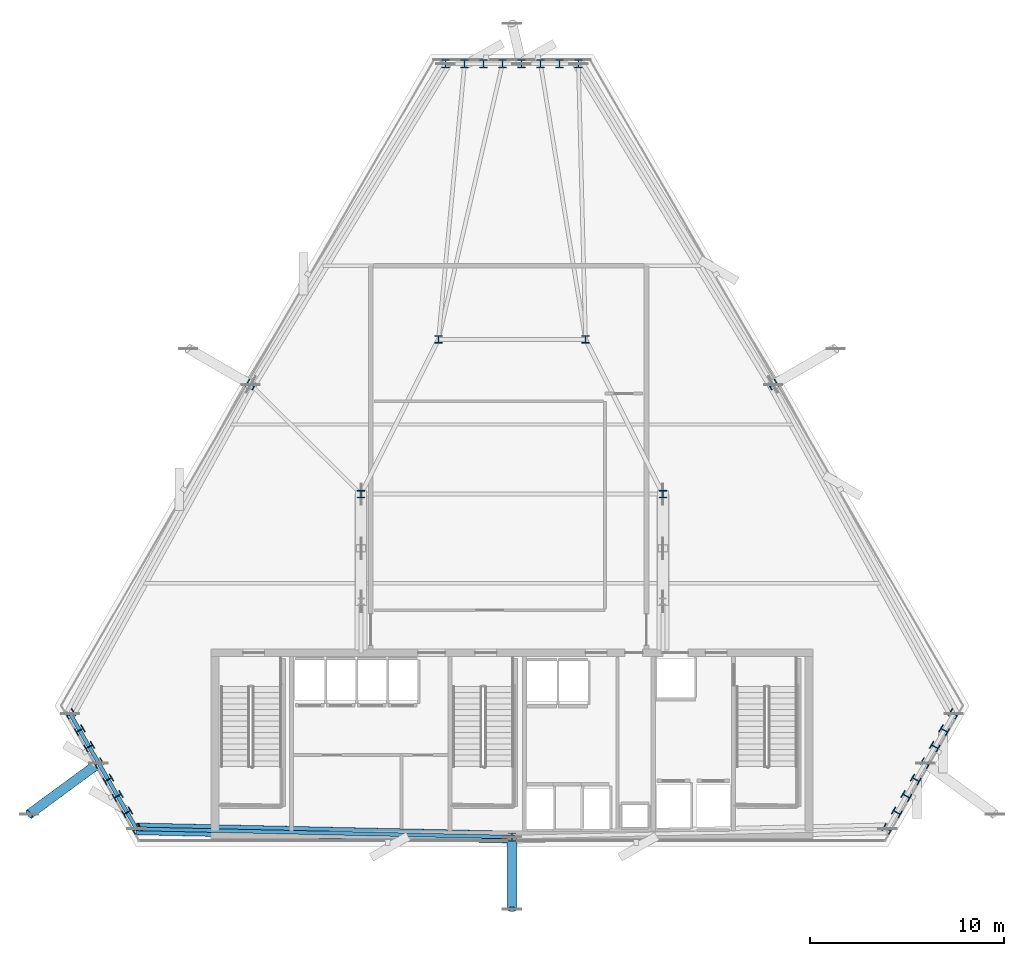
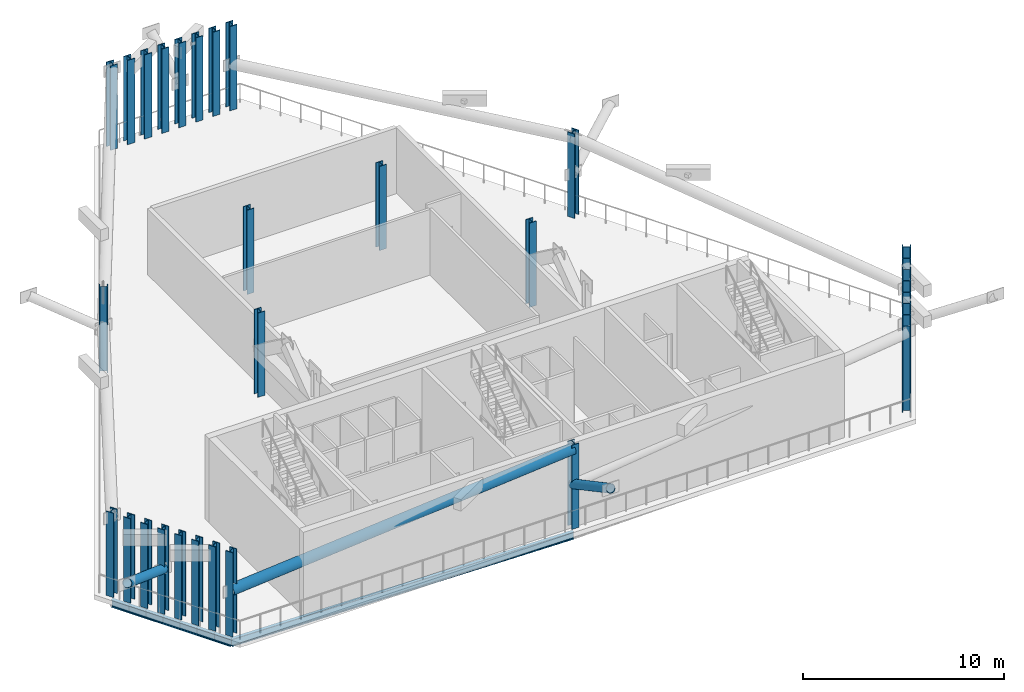
# One storey, part 1 of 11: 31 columns, 8 beams, 3 members.
"""IFC4 building model written with IfcOpenShell, lengths in metres."""

from ifc_helpers import new_model, si_unit, direction, frame, origin, origin_2d, place, context, subcontext, project, spatial, hollow_circle, i_section, extrude, material, material_profile, profile_set, type_object, element, save


model = new_model("IFC4")

# Units and contexts
model_context = context("Model", 3, precision=1e-05, world=origin(), true_north=direction((0.0, 1.0)))
body_context = subcontext(model_context, "Body", "Model", "MODEL_VIEW")
ifc_project = project(units=[si_unit("LENGTHUNIT", "METRE"), si_unit("AREAUNIT", "SQUARE_METRE"), si_unit("VOLUMEUNIT", "CUBIC_METRE"), si_unit("PLANEANGLEUNIT", "RADIAN"), si_unit("MASSUNIT", "GRAM", prefix="KILO")], contexts=[model_context])

# Site, building, storey
site_placement = place(None, origin())
site = spatial("IfcSite", under=ifc_project, at=site_placement, CompositionType="ELEMENT")
building_placement = place(site_placement, origin())
building = spatial("IfcBuilding", under=site, at=building_placement, Name="Ndaravel Arena Tower", CompositionType="ELEMENT")
storey_placement = place(building_placement, frame((0.0, 0.0, 203.0)))
storey = spatial("IfcBuildingStorey", under=building, at=storey_placement, Name="L49", CompositionType="ELEMENT", Elevation=203.0)

# Columns
ifc_material_1 = material(Name="Steel S355", Category="steel")
ifc_material_profile_1 = material_profile(ifc_material_1, i_section(OverallWidth=0.39892578125, OverallDepth=0.3935546875, WebThickness=0.022705078125, FlangeThickness=0.03662109375, FilletRadius=0.01513671875, at=origin_2d()), Name="UC 356x406x287")
ifc_profile_set_1 = profile_set([ifc_material_profile_1], Name="Steel S355")
column_type_1 = type_object("IfcColumnType", Name="COL-INT-UC287", PredefinedType="COLUMN", material=ifc_profile_set_1)
for number, where, z_axis, x_axis, name in (
    (1, (34.199951171875, 23.199951171875, 0.0), (0.0, 0.0, 1.0), (1.0, 0.0, 0.0), "L49 Interior Spine Column IC-01"),
    (2, (49.800048828125, 23.199951171875, 0.0), (0.0, 0.0, 1.0), (1.0, 0.0, 0.0), "L49 Interior Spine Column IC-02"),
    (3, (38.199951171875, 31.199951171875, 0.0), (0.0, 0.0, 1.0), (1.0, 0.0, 0.0), "L49 Interior Spine Column IC-03"),
    (4, (45.800048828125, 31.199951171875, 0.0), (0.0, 0.0, 1.0), (1.0, 0.0, 0.0), "L49 Interior Spine Column IC-04"),
):
    element("IfcColumn", number, at=place(storey_placement, frame(where, z_axis=z_axis, x_axis=x_axis)), inside=storey, type_object=column_type_1, Name=name, PredefinedType="COLUMN", context=body_context, shape_type="SweptSolid", body=[
        extrude(i_section(OverallWidth=0.39892578125, OverallDepth=0.3935546875, WebThickness=0.022705078125, FlangeThickness=0.03662109375, FilletRadius=0.01513671875, at=origin_2d()), origin(), (0.0, 0.0, 1.0), 5.1201171875),
    ])
ifc_material_2 = material(Name="Steel S355", Category="steel")
ifc_material_profile_2 = material_profile(ifc_material_2, i_section(OverallWidth=0.412109375, OverallDepth=0.43505859375, WebThickness=0.035888671875, FlangeThickness=0.0439453125, FilletRadius=0.014892578125, at=origin_2d()), Name="HD 400x463")
ifc_profile_set_2 = profile_set([ifc_material_profile_2], Name="Steel S355")
column_type_2 = type_object("IfcColumnType", Name="COL-TUBE-HD463", PredefinedType="COLUMN", material=ifc_profile_set_2)
for number, where, z_axis, x_axis, name in (
    (5, (42.0, 5.47998046875, 0.0), (0.0, 0.0, 1.0), (1.0, 0.0, 0.0), "L49 Framed Tube Column TC-01"),
    (6, (61.397216796875, 5.904541015625, 0.0), (0.0, 0.0, 1.0), (0.5, 0.866025403784, 0.0), "L49 Framed Tube Column TC-02"),
    (7, (61.88720703125, 6.753662109375, 0.0), (0.0, 0.0, 1.0), (0.5, 0.866025403784, 0.0), "L49 Framed Tube Column TC-03"),
    (8, (62.37744140625, 7.602783203125, 0.0), (0.0, 0.0, 1.0), (0.5, 0.866025403784, 0.0), "L49 Framed Tube Column TC-04"),
    (9, (62.86767578125, 8.451904296875, 0.0), (0.0, 0.0, 1.0), (0.5, 0.866025403784, 0.0), "L49 Framed Tube Column TC-05"),
    (10, (63.35791015625, 9.30078125, 0.0), (0.0, 0.0, 1.0), (0.5, 0.866025403784, 0.0), "L49 Framed Tube Column TC-06"),
    (11, (63.84814453125, 10.14990234375, 0.0), (0.0, 0.0, 1.0), (0.5, 0.866025403784, 0.0), "L49 Framed Tube Column TC-07"),
    (12, (64.33837890625, 10.9990234375, 0.0), (0.0, 0.0, 1.0), (0.5, 0.866025403784, 0.0), "L49 Framed Tube Column TC-08"),
    (13, (64.82861328125, 11.84814453125, 0.0), (0.0, 0.0, 1.0), (0.5, 0.866025403784, 0.0), "L49 Framed Tube Column TC-09"),
    (14, (55.497802734375, 28.858642578125, 0.0), (0.0, 0.0, 1.0), (-0.5, 0.866025403784, 0.0), "L49 Framed Tube Column TC-10"),
    (15, (45.431396484375, 45.44482421875, 0.0), (0.0, 0.0, 1.0), (1.0, 0.0, 0.0), "L49 Framed Tube Column TC-11"),
    (16, (44.451171875, 45.44482421875, 0.0), (0.0, 0.0, 1.0), (1.0, 0.0, 0.0), "L49 Framed Tube Column TC-12"),
    (17, (43.470703125, 45.44482421875, 0.0), (0.0, 0.0, 1.0), (1.0, 0.0, 0.0), "L49 Framed Tube Column TC-13"),
    (18, (42.490234375, 45.44482421875, 0.0), (0.0, 0.0, 1.0), (1.0, 0.0, 0.0), "L49 Framed Tube Column TC-14"),
    (19, (41.509765625, 45.44482421875, 0.0), (0.0, 0.0, 1.0), (1.0, 0.0, 0.0), "L49 Framed Tube Column TC-15"),
    (20, (40.529296875, 45.44482421875, 0.0), (0.0, 0.0, 1.0), (1.0, 0.0, 0.0), "L49 Framed Tube Column TC-16"),
    (21, (39.548828125, 45.44482421875, 0.0), (0.0, 0.0, 1.0), (1.0, 0.0, 0.0), "L49 Framed Tube Column TC-17"),
    (22, (38.568603515625, 45.44482421875, 0.0), (0.0, 0.0, 1.0), (1.0, 0.0, 0.0), "L49 Framed Tube Column TC-18"),
    (23, (28.502197265625, 28.858642578125, 0.0), (0.0, 0.0, 1.0), (0.5, 0.866025403784, 0.0), "L49 Framed Tube Column TC-19"),
    (24, (19.17138671875, 11.84814453125, 0.0), (0.0, 0.0, 1.0), (-0.5, 0.866025403784, 0.0), "L49 Framed Tube Column TC-20"),
    (25, (19.66162109375, 10.9990234375, 0.0), (0.0, 0.0, 1.0), (-0.5, 0.866025403784, 0.0), "L49 Framed Tube Column TC-21"),
    (26, (20.15185546875, 10.14990234375, 0.0), (0.0, 0.0, 1.0), (-0.5, 0.866025403784, 0.0), "L49 Framed Tube Column TC-22"),
    (27, (20.64208984375, 9.30078125, 0.0), (0.0, 0.0, 1.0), (-0.5, 0.866025403784, 0.0), "L49 Framed Tube Column TC-23"),
    (28, (21.13232421875, 8.451904296875, 0.0), (0.0, 0.0, 1.0), (-0.5, 0.866025403784, 0.0), "L49 Framed Tube Column TC-24"),
    (29, (21.62255859375, 7.602783203125, 0.0), (0.0, 0.0, 1.0), (-0.5, 0.866025403784, 0.0), "L49 Framed Tube Column TC-25"),
    (30, (22.11279296875, 6.753662109375, 0.0), (0.0, 0.0, 1.0), (-0.5, 0.866025403784, 0.0), "L49 Framed Tube Column TC-26"),
    (31, (22.602783203125, 5.904541015625, 0.0), (0.0, 0.0, 1.0), (-0.5, 0.866025403784, 0.0), "L49 Framed Tube Column TC-27"),
):
    element("IfcColumn", number, at=place(storey_placement, frame(where, z_axis=z_axis, x_axis=x_axis)), inside=storey, type_object=column_type_2, Name=name, PredefinedType="COLUMN", context=body_context, shape_type="SweptSolid", body=[
        extrude(i_section(OverallWidth=0.412109375, OverallDepth=0.43505859375, WebThickness=0.035888671875, FlangeThickness=0.0439453125, FilletRadius=0.014892578125, at=origin_2d()), origin(), (0.0, 0.0, 1.0), 5.1201171875),
    ])

# Beams
ifc_material_3 = material(Name="Steel S355", Category="steel")
ifc_material_profile_3 = material_profile(ifc_material_3, i_section(OverallWidth=0.18994140625, OverallDepth=0.449951171875, WebThickness=0.009521484375, FlangeThickness=0.0146484375, FilletRadius=0.02099609375, at=origin_2d()), Name="IPE 450")
ifc_profile_set_3 = profile_set([ifc_material_profile_3], Name="Steel S355")
beam_type = type_object("IfcBeamType", Name="BM-SPAN-IPE450", PredefinedType="SPANDREL", material=ifc_profile_set_3)
for number, where, z_axis, x_axis, name in (
    (32, (19.17138671875, 11.84814453125, -0.5048828125), (0.499995473844, -0.866028016946, 0.0), (0.866028016946, 0.499995473844, 0.0), "L49 Perimeter Spandrel Beam SP-20"),
    (33, (19.66162109375, 10.9990234375, -0.5048828125), (0.499995473844, -0.866028016946, 0.0), (0.866028016946, 0.499995473844, 0.0), "L49 Perimeter Spandrel Beam SP-21"),
    (34, (20.15185546875, 10.14990234375, -0.5048828125), (0.499995473844, -0.866028016946, 0.0), (0.866028016946, 0.499995473844, 0.0), "L49 Perimeter Spandrel Beam SP-22"),
):
    element("IfcBeam", number, at=place(storey_placement, frame(where, z_axis=z_axis, x_axis=x_axis)), inside=storey, type_object=beam_type, Name=name, PredefinedType="SPANDREL", context=body_context, shape_type="SweptSolid", body=[
        extrude(i_section(OverallWidth=0.18994140625, OverallDepth=0.449951171875, WebThickness=0.009521484375, FlangeThickness=0.0146484375, FilletRadius=0.02099609375, at=origin_2d()), origin(), (0.0, 0.0, 1.0), 0.98046875),
    ])
beam_1_placement = place(storey_placement, frame((20.64208984375, 9.30078125, -0.5048828125), z_axis=(0.500103313483, -0.8659657475, 0.0), x_axis=(0.8659657475, 0.500103313483, 0.0)))
element("IfcBeam", 35, at=beam_1_placement, inside=storey, type_object=beam_type, Name="L49 Perimeter Spandrel Beam SP-23", PredefinedType="SPANDREL", context=body_context, shape_type="SweptSolid", body=[
    extrude(i_section(OverallWidth=0.18994140625, OverallDepth=0.449951171875, WebThickness=0.009521484375, FlangeThickness=0.0146484375, FilletRadius=0.02099609375, at=origin_2d()), origin(), (0.0, 0.0, 1.0), 0.980224609375),
])
for number, where, z_axis, x_axis, name in (
    (36, (21.13232421875, 8.451904296875, -0.5048828125), (0.499995473844, -0.866028016946, 0.0), (0.866028016946, 0.499995473844, 0.0), "L49 Perimeter Spandrel Beam SP-24"),
    (37, (21.62255859375, 7.602783203125, -0.5048828125), (0.499995473844, -0.866028016946, 0.0), (0.866028016946, 0.499995473844, 0.0), "L49 Perimeter Spandrel Beam SP-25"),
    (38, (22.11279296875, 6.753662109375, -0.5048828125), (0.499808686542, -0.866135830489, 0.0), (0.866135830489, 0.499808686542, 0.0), "L49 Perimeter Spandrel Beam SP-26"),
):
    element("IfcBeam", number, at=place(storey_placement, frame(where, z_axis=z_axis, x_axis=x_axis)), inside=storey, type_object=beam_type, Name=name, PredefinedType="SPANDREL", context=body_context, shape_type="SweptSolid", body=[
        extrude(i_section(OverallWidth=0.18994140625, OverallDepth=0.449951171875, WebThickness=0.009521484375, FlangeThickness=0.0146484375, FilletRadius=0.02099609375, at=origin_2d()), origin(), (0.0, 0.0, 1.0), 0.98046875),
    ])
beam_2_placement = place(storey_placement, frame((22.602783203125, 5.904541015625, -0.5048828125), z_axis=(0.99976055023, -0.021882463365, 0.0), x_axis=(0.021882463365, 0.99976055023, 0.0)))
element("IfcBeam", 39, at=beam_2_placement, inside=storey, type_object=beam_type, Name="L49 Perimeter Spandrel Beam SP-27", PredefinedType="SPANDREL", context=body_context, shape_type="SweptSolid", body=[
    extrude(i_section(OverallWidth=0.18994140625, OverallDepth=0.449951171875, WebThickness=0.009521484375, FlangeThickness=0.0146484375, FilletRadius=0.02099609375, at=origin_2d()), origin(), (0.0, 0.0, 1.0), 19.40185546875),
])

# Members
ifc_material_4 = material(Name="Steel S460", Category="steel")
ifc_material_profile_4 = material_profile(ifc_material_4, hollow_circle(Radius=0.304931640625, WallThickness=0.030029296875, at=origin_2d()), Name="CHS 610x30")
ifc_profile_set_4 = profile_set([ifc_material_profile_4], Name="Steel S460")
member_type_1 = type_object("IfcMemberType", Name="MEM-BT-DIAG1", PredefinedType="BRACE", material=ifc_profile_set_4)
member_1_placement = place(storey_placement, frame((22.602783203125, 5.904541015625, 2.679931640625), z_axis=(0.994172182073, -0.021760146815, 0.105584887192), x_axis=(0.021882463365, 0.99976055023, 0.0)))
element("IfcMember", 40, at=member_1_placement, inside=storey, type_object=member_type_1, Name="Belt Truss BT-2 Diagonal 27", PredefinedType="BRACE", context=body_context, shape_type="SweptSolid", body=[
    extrude(hollow_circle(Radius=0.304931640625, WallThickness=0.030029296875, at=origin_2d()), origin(), (0.0, 0.0, 1.0), 19.510986328125),
])
ifc_material_5 = material(Name="Steel S460", Category="steel")
ifc_material_profile_5 = material_profile(ifc_material_5, hollow_circle(Radius=0.25390625, WallThickness=0.02490234375, at=origin_2d()), Name="CHS 508x25")
ifc_profile_set_5 = profile_set([ifc_material_profile_5], Name="Steel S460")
member_type_2 = type_object("IfcMemberType", Name="MEM-STAR-STRUT1", PredefinedType="STRUT", material=ifc_profile_set_5)
member_2_placement = place(storey_placement, frame((20.64208984375, 9.30078125, 2.580078125), z_axis=(-0.735775395247, -0.540752399593, 0.407702600045), x_axis=(0.592206385417, -0.805786322217, 0.0)))
element("IfcMember", 41, at=member_2_placement, inside=storey, type_object=member_type_2, Name="L50 Star Soffit Raking Strut SS-1", PredefinedType="STRUT", context=body_context, shape_type="SweptSolid", body=[
    extrude(hollow_circle(Radius=0.25390625, WallThickness=0.02490234375, at=origin_2d()), origin(), (0.0, 0.0, 1.0), 4.881103515625),
])
member_3_placement = place(storey_placement, frame((42.0, 5.47998046875, 2.580078125), z_axis=(0.0, -0.882287390637, 0.470711121945), x_axis=(1.0, 0.0, 0.0)))
element("IfcMember", 42, at=member_3_placement, inside=storey, type_object=member_type_2, Name="L50 Star Soffit Raking Strut SS-2", PredefinedType="STRUT", context=body_context, shape_type="SweptSolid", body=[
    extrude(hollow_circle(Radius=0.25390625, WallThickness=0.02490234375, at=origin_2d()), origin(), (0.0, 0.0, 1.0), 4.2275390625),
])

save(model, "model.ifc")
